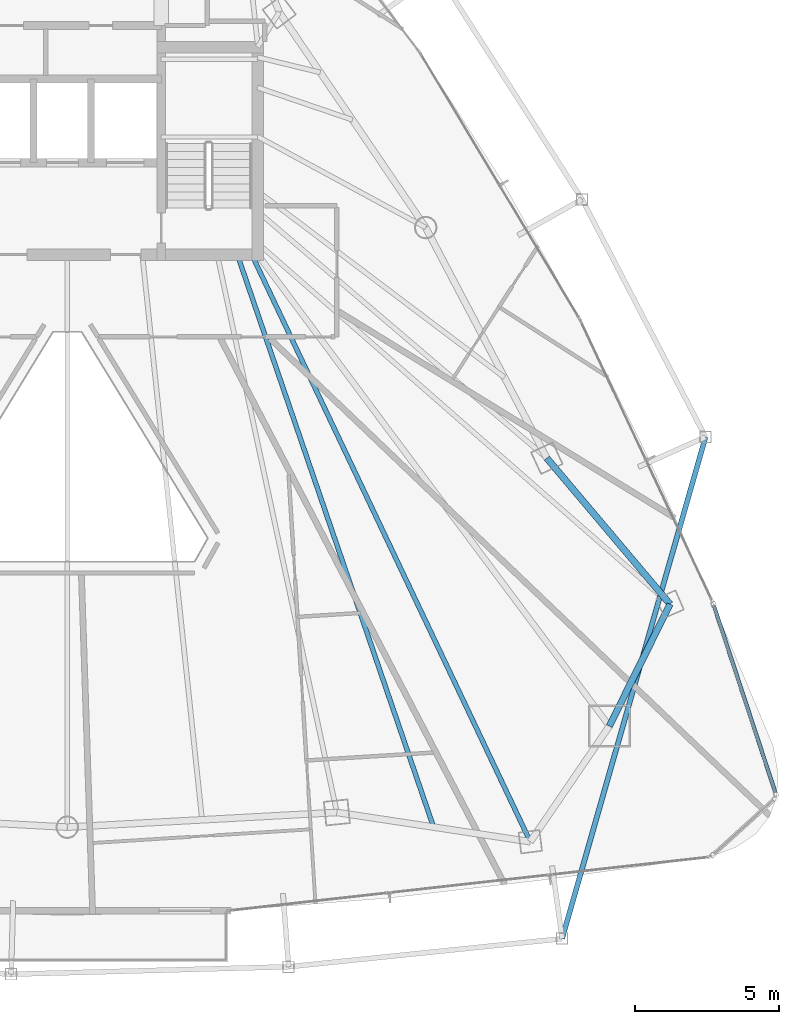
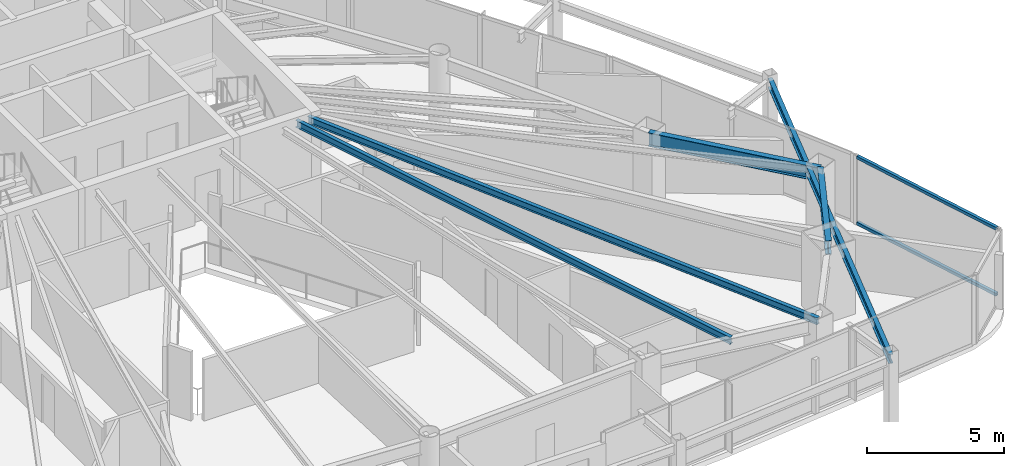
# One storey, part 14 of 29: 5 beams, 2 members, 1 element without a shape of its own.
"""IFC4 building model written with IfcOpenShell, lengths in metres."""

from ifc_helpers import new_model, si_unit, direction, frame, origin, origin_2d, place, context, subcontext, project, spatial, hollow_rectangle, i_section, extrude, material, layer, layer_set, material_profile, profile_set, type_object, element, aggregate, save


model = new_model("IFC4")

# Units and contexts
model_context = context("Model", 3, precision=1e-05, world=origin(), true_north=direction((0.0, 1.0)))
body_context = subcontext(model_context, "Body", "Model", "MODEL_VIEW")
ifc_project = project(units=[si_unit("LENGTHUNIT", "METRE"), si_unit("AREAUNIT", "SQUARE_METRE"), si_unit("VOLUMEUNIT", "CUBIC_METRE"), si_unit("PLANEANGLEUNIT", "RADIAN"), si_unit("MASSUNIT", "GRAM", prefix="KILO")], contexts=[model_context])

# Site, building, storey
site_placement = place(None, origin())
site = spatial("IfcSite", under=ifc_project, at=site_placement, CompositionType="ELEMENT")
building_placement = place(site_placement, origin())
building = spatial("IfcBuilding", under=site, at=building_placement, Name="Orvanel Arch Residences", CompositionType="ELEMENT")
storey_placement = place(building_placement, frame((0.0, 0.0, 170.449951171875)))
storey = spatial("IfcBuildingStorey", under=building, at=storey_placement, Name="L48", CompositionType="ELEMENT", Elevation=170.449951171875)

# Beams
ifc_material_1 = material(Name="Structural steel AS/NZS 3679.1 Grade 300 (300 MPa)", Category="steel")
ifc_material_profile_1 = material_profile(ifc_material_1, i_section(OverallWidth=0.1650390625, OverallDepth=0.303955078125, WebThickness=0.006103515625, FlangeThickness=0.01025390625, at=origin_2d()), Name="310UB40.4")
ifc_profile_set_1 = profile_set([ifc_material_profile_1], Name="Structural steel AS/NZS 3679.1 Grade 300 (300 MPa)")
beam_type_1 = type_object("IfcBeamType", Name="BJ-310UB", PredefinedType="JOIST", material=ifc_profile_set_1)
beam_1_placement = place(storey_placement, frame((39.39990234375, 26.699951171875, 2.907958984375), z_axis=(0.428614365266, -0.903487534993, 0.0), x_axis=(0.903487534993, 0.428614365266, 0.0)))
element("IfcBeam", 1, at=beam_1_placement, inside=storey, type_object=beam_type_1, Name="L48 MSE Wing Floor Joist", PredefinedType="JOIST", context=body_context, shape_type="SweptSolid", body=[
    extrude(i_section(OverallWidth=0.1650390625, OverallDepth=0.303955078125, WebThickness=0.006103515625, FlangeThickness=0.01025390625, at=origin_2d()), origin(), (0.0, 0.0, 1.0), 22.535888671875),
])
beam_2_placement = place(storey_placement, frame((38.89990234375, 26.699951171875, 2.907958984375), z_axis=(0.324257108963, -0.945968988544, 0.0), x_axis=(0.945968988544, 0.324257108963, 0.0)))
element("IfcBeam", 2, at=beam_2_placement, inside=storey, type_object=beam_type_1, Name="L48 JADD2 Wing Floor Joist", PredefinedType="JOIST", context=body_context, shape_type="SweptSolid", body=[
    extrude(i_section(OverallWidth=0.1650390625, OverallDepth=0.303955078125, WebThickness=0.006103515625, FlangeThickness=0.01025390625, at=origin_2d()), origin(), (0.0, 0.0, 1.0), 20.987060546875),
])
ifc_material_profile_2 = material_profile(ifc_material_1, i_section(OverallWidth=0.177978515625, OverallDepth=0.406005859375, WebThickness=0.0078125, FlangeThickness=0.0126953125, at=origin_2d()), Name="410UB59.7")
ifc_profile_set_2 = profile_set([ifc_material_profile_2], Name="Structural steel AS/NZS 3679.1 Grade 300 (300 MPa)")
beam_type_2 = type_object("IfcBeamType", Name="OB-410UB-EXT", PredefinedType="SPANDREL", material=ifc_profile_set_2)
beam_3_placement = place(storey_placement, frame((50.1630859375, 2.97705078125, 2.85693359375), z_axis=(0.274812004582, 0.961497978229, 0.0), x_axis=(-0.961497978229, 0.274812004582, 0.0)))
element("IfcBeam", 3, at=beam_3_placement, inside=storey, type_object=beam_type_2, Name="L48 Outer Perimeter Floor Ring Beam 08", PredefinedType="SPANDREL", context=body_context, shape_type="SweptSolid", body=[
    extrude(i_section(OverallWidth=0.177978515625, OverallDepth=0.406005859375, WebThickness=0.0078125, FlangeThickness=0.0126953125, at=origin_2d()), origin(), (0.0, 0.0, 1.0), 18.095703125),
])
ifc_material_profile_3 = material_profile(ifc_material_1, i_section(OverallWidth=0.22900390625, OverallDepth=0.612060546875, WebThickness=0.011962890625, FlangeThickness=0.01953125, at=origin_2d()), Name="610UB125")
ifc_profile_set_3 = profile_set([ifc_material_profile_3], Name="Structural steel AS/NZS 3679.1 Grade 300 (300 MPa)")
beam_type_3 = type_object("IfcBeamType", Name="SP-610UB", PredefinedType="SPANDREL", material=ifc_profile_set_3)
beam_4_placement = place(storey_placement, frame((51.801025390625, 10.35107421875, 2.754150390625), z_axis=(0.44543469453, 0.895314432425, 0.0), x_axis=(-0.895314432425, 0.44543469453, 0.0)))
element("IfcBeam", 4, at=beam_4_placement, inside=storey, type_object=beam_type_3, Name="L48 Perimeter Spandrel Beam 09", PredefinedType="SPANDREL", context=body_context, shape_type="SweptSolid", body=[
    extrude(i_section(OverallWidth=0.22900390625, OverallDepth=0.612060546875, WebThickness=0.011962890625, FlangeThickness=0.01953125, at=origin_2d()), origin(), (0.0, 0.0, 1.0), 4.723388671875),
])
beam_5_placement = place(storey_placement, frame((53.905029296875, 14.580078125, 2.754150390625), z_axis=(-0.644950329775, 0.764224490659, 0.0), x_axis=(-0.764224490659, -0.644950329775, 0.0)))
element("IfcBeam", 5, at=beam_5_placement, inside=storey, type_object=beam_type_3, Name="L48 Perimeter Spandrel Beam 10", PredefinedType="SPANDREL", context=body_context, shape_type="SweptSolid", body=[
    extrude(i_section(OverallWidth=0.22900390625, OverallDepth=0.612060546875, WebThickness=0.011962890625, FlangeThickness=0.01953125, at=origin_2d()), origin(), (0.0, 0.0, 1.0), 6.623779296875),
])

# Curtain wall, members
ifc_material_2 = material(Name="Bronze-anodised aluminium AA6063-T6", Category="aluminium")
ifc_layer = layer(ifc_material_2, 0.18994140625)
ifc_layer_set = layer_set([ifc_layer], Name="Bronze-anodised aluminium AA6063-T6")
curtain_wall_type = type_object("IfcCurtainWallType", Name="CW5-CRN-SYS", PredefinedType="NOTDEFINED", material=ifc_layer_set)
curtain_wall_placement = place(storey_placement, origin())
curtain_wall = element("IfcCurtainWall", 6, at=curtain_wall_placement, inside=storey, type_object=curtain_wall_type, Name="L48 CW5-CRN-SYS Unitised Curtain Wall", PredefinedType="NOTDEFINED")
ifc_material_profile_4 = material_profile(ifc_material_2, hollow_rectangle(XDim=0.1298828125, YDim=0.1298828125, WallThickness=0.00439453125, at=origin_2d()), Name="ALU130x130x4.5")
ifc_profile_set_4 = profile_set([ifc_material_profile_4], Name="Bronze-anodised aluminium AA6063-T6")
member_type = type_object("IfcMemberType", Name="TRN-130x130", PredefinedType="USERDEFINED", material=ifc_profile_set_4)
member_1_placement = place(storey_placement, frame((57.55517578125, 8.055419921875, 0.06494140625), z_axis=(-0.312420994086, 0.949943746995, 0.0), x_axis=(-0.949943746995, -0.312420994086, 0.0)))
member_1 = element("IfcMember", 7, at=member_1_placement, type_object=member_type, Name="CW-S5 transom 1.1", ObjectType="TRANSOM", PredefinedType="USERDEFINED", context=body_context, shape_type="SweptSolid", body=[
    extrude(hollow_rectangle(XDim=0.1298828125, YDim=0.1298828125, WallThickness=0.00439453125, at=origin_2d()), origin(), (0.0, 0.0, 1.0), 6.796142578125),
])
member_2_placement = place(storey_placement, frame((57.55517578125, 8.055419921875, 2.9951171875), z_axis=(-0.312420994086, 0.949943746995, 0.0), x_axis=(-0.949943746995, -0.312420994086, 0.0)))
member_2 = element("IfcMember", 8, at=member_2_placement, type_object=member_type, Name="CW-S5 transom 1.2", ObjectType="TRANSOM", PredefinedType="USERDEFINED", context=body_context, shape_type="SweptSolid", body=[
    extrude(hollow_rectangle(XDim=0.1298828125, YDim=0.1298828125, WallThickness=0.00439453125, at=origin_2d()), origin(), (0.0, 0.0, 1.0), 6.796142578125),
])
aggregate(curtain_wall, [member_1, member_2])

save(model, "model.ifc")
